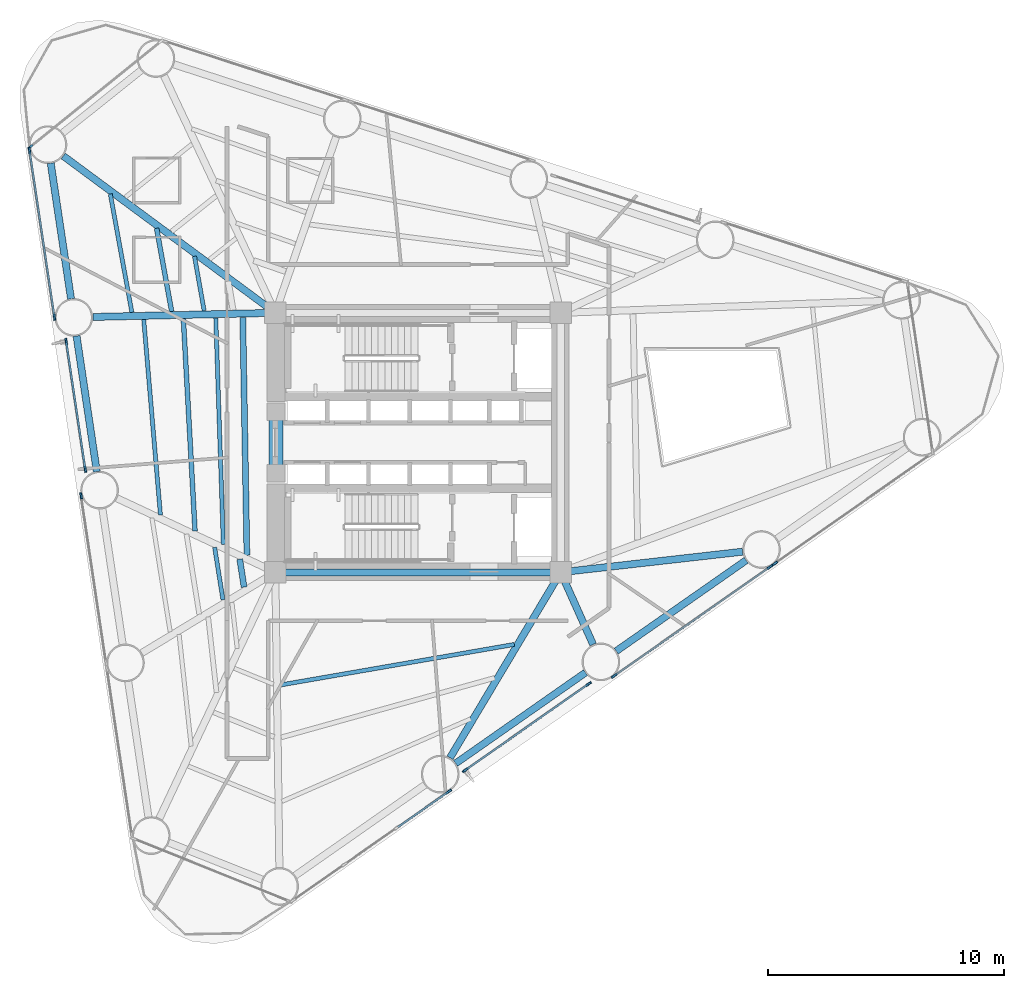
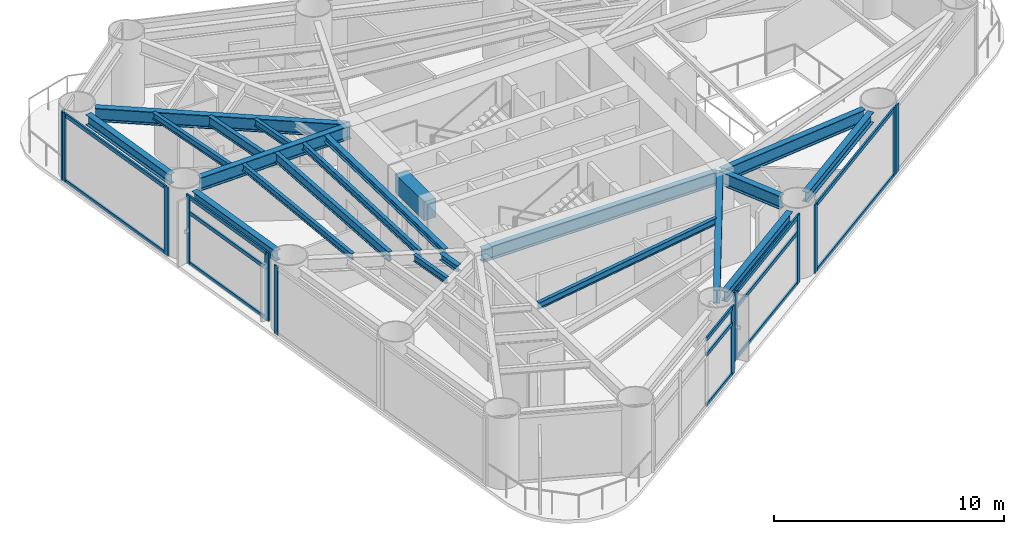
# One storey, part 2 of 9: 25 members, 21 beams, 8 elements without a shape of their own.
"""IFC4 building model written with IfcOpenShell, lengths in metres."""

from ifc_helpers import new_model, si_unit, direction, frame, origin, origin_2d, place, context, subcontext, project, spatial, rectangle, i_section, extrude, source, transform, mapped, material, layer, layer_set, material_profile, profile_set, type_object, element, aggregate, save


model = new_model("IFC4")

# Units and contexts
model_context = context("Model", 3, precision=1e-05, world=origin(), true_north=direction((0.0, 1.0)))
body_context = subcontext(model_context, "Body", "Model", "MODEL_VIEW")
ifc_project = project(units=[si_unit("LENGTHUNIT", "METRE"), si_unit("AREAUNIT", "SQUARE_METRE"), si_unit("VOLUMEUNIT", "CUBIC_METRE"), si_unit("PLANEANGLEUNIT", "RADIAN"), si_unit("MASSUNIT", "GRAM", prefix="KILO")], contexts=[model_context])

# Site, building, storey
site_placement = place(None, origin())
site = spatial("IfcSite", under=ifc_project, at=site_placement, CompositionType="ELEMENT")
building_placement = place(site_placement, origin())
building = spatial("IfcBuilding", under=site, at=building_placement, Name="Yunling Apex Tower", CompositionType="ELEMENT")
storey_placement = place(building_placement, frame((0.0, 0.0, 69.800048828125)))
storey = spatial("IfcBuildingStorey", under=building, at=storey_placement, Name="L18", CompositionType="ELEMENT", Elevation=69.800048828125)

# Beams
ifc_material_1 = material(Name="Concrete C60", Category="concrete")
ifc_material_profile_1 = material_profile(ifc_material_1, rectangle(XDim=0.60009765625, YDim=1.0, at=origin_2d()))
ifc_profile_set_1 = profile_set([ifc_material_profile_1], Name="Concrete C60")
beam_type_1 = type_object("IfcBeamType", Name="BC-CPL-1", PredefinedType="BEAM", material=ifc_profile_set_1)
shared_shape_1 = source(origin(), body_context, "Body", "SweptSolid", [
    extrude(rectangle(XDim=0.60009765625, YDim=1.0, at=origin_2d()), origin(), (0.0, 0.0, 1.0), 2.5),
])
beam_1_placement = place(storey_placement, frame((-6.02490234375, -1.25, 3.06494140625), z_axis=(0.0, 1.0, 0.0), x_axis=(-1.0, 0.0, 0.0)))
element("IfcBeam", 1, at=beam_1_placement, inside=storey, type_object=beam_type_1, Name="L18 Core West Portal Coupling Beam", PredefinedType="BEAM", context=body_context, shape_type="MappedRepresentation", body=[
    mapped(shared_shape_1, transform((0.0, 0.0, 0.0), scale=1.0)),
])
ifc_material_2 = material(Name="Steel Q355B", Category="steel")
ifc_material_profile_2 = material_profile(ifc_material_2, i_section(OverallWidth=0.300048828125, OverallDepth=0.699951171875, WebThickness=0.012939453125, FlangeThickness=0.02392578125, FilletRadius=0.02587890625, at=origin_2d()))
ifc_profile_set_2 = profile_set([ifc_material_profile_2], Name="Steel Q355B")
beam_type_2 = type_object("IfcBeamType", Name="BG-PRI-3", PredefinedType="USERDEFINED", material=ifc_profile_set_2)
shared_shape_2 = source(origin(), body_context, "Body", "SweptSolid", [
    extrude(i_section(OverallWidth=0.300048828125, OverallDepth=0.699951171875, WebThickness=0.012939453125, FlangeThickness=0.02392578125, FilletRadius=0.02587890625, at=origin_2d()), origin(), (0.0, 0.0, 1.0), 11.7998046875),
])
beam_2_placement = place(storey_placement, frame((-5.89990234375, -5.5, 3.21484375), z_axis=(1.0, 0.0, 0.0), x_axis=(0.0, 1.0, 0.0)))
element("IfcBeam", 2, at=beam_2_placement, inside=storey, type_object=beam_type_2, Name="L18 Core Ring Tie Beam 1", ObjectType="GIRDER", PredefinedType="USERDEFINED", context=body_context, shape_type="MappedRepresentation", body=[
    mapped(shared_shape_2, transform((0.0, 0.0, 0.0), scale=1.0)),
])
ifc_material_profile_3 = material_profile(ifc_material_2, i_section(OverallWidth=0.300048828125, OverallDepth=0.5400390625, WebThickness=0.011962890625, FlangeThickness=0.02001953125, FilletRadius=0.02392578125, at=origin_2d()))
ifc_profile_set_3 = profile_set([ifc_material_profile_3], Name="Steel Q355B")
beam_type_3 = type_object("IfcBeamType", Name="BP-SPN-1", PredefinedType="SPANDREL", material=ifc_profile_set_3)
shared_shape_3 = source(origin(), body_context, "Body", "SweptSolid", [
    extrude(i_section(OverallWidth=0.300048828125, OverallDepth=0.5400390625, WebThickness=0.011962890625, FlangeThickness=0.02001953125, FilletRadius=0.02392578125, at=origin_2d()), origin(), (0.0, 0.0, 1.0), 6.721435546875),
])
for number, where, z_axis, x_axis, name in (
    (3, (1.59228515625, -13.60302734375, 3.294921875), (0.81955772083, 0.572996633697, 0.0), (-0.572996633697, 0.81955772083, 0.0), "L18 Perimeter Spandrel Beam 2"),
    (4, (8.40234375, -8.841796875, 3.294921875), (0.81955772083, 0.572996633697, 0.0), (-0.572996633697, 0.81955772083, 0.0), "L18 Perimeter Spandrel Beam 3"),
):
    element("IfcBeam", number, at=place(storey_placement, frame(where, z_axis=z_axis, x_axis=x_axis)), inside=storey, type_object=beam_type_3, Name=name, PredefinedType="SPANDREL", context=body_context, shape_type="MappedRepresentation", body=[
        mapped(shared_shape_3, transform((0.0, 0.0, 0.0), scale=1.0)),
    ])
shared_shape_4 = source(origin(), body_context, "Body", "SweptSolid", [
    extrude(i_section(OverallWidth=0.300048828125, OverallDepth=0.5400390625, WebThickness=0.011962890625, FlangeThickness=0.02001953125, FilletRadius=0.02392578125, at=origin_2d()), origin(), (0.0, 0.0, 1.0), 5.81689453125),
])
for number, where, z_axis, x_axis, name in (
    (5, (-15.57177734375, 11.84423828125, 3.294921875), (0.147823230204, -0.989013797989, 0.0), (0.989013797989, 0.147823230204, 0.0), "L18 Perimeter Spandrel Beam 11"),
    (6, (-14.477294921875, 4.5205078125, 3.294921875), (0.147823230204, -0.989013797989, 0.0), (0.989013797989, 0.147823230204, 0.0), "L18 Perimeter Spandrel Beam 12"),
):
    element("IfcBeam", number, at=place(storey_placement, frame(where, z_axis=z_axis, x_axis=x_axis)), inside=storey, type_object=beam_type_3, Name=name, PredefinedType="SPANDREL", context=body_context, shape_type="MappedRepresentation", body=[
        mapped(shared_shape_4, transform((0.0, 0.0, 0.0), scale=1.0)),
    ])
shared_shape_5 = source(origin(), body_context, "Body", "SweptSolid", [
    extrude(i_section(OverallWidth=0.300048828125, OverallDepth=0.699951171875, WebThickness=0.012939453125, FlangeThickness=0.02392578125, FilletRadius=0.02587890625, at=origin_2d()), origin(), (0.0, 0.0, 1.0), 9.078857421875),
])
beam_3_placement = place(storey_placement, frame((1.355712890625, -13.3642578125, 3.21484375), z_axis=(0.512544819157, 0.858660473269, 0.0), x_axis=(-0.858660473269, 0.512544819157, 0.0)))
element("IfcBeam", 7, at=beam_3_placement, inside=storey, type_object=beam_type_2, Name="L18 Radial Primary Girder R02", ObjectType="GIRDER", PredefinedType="USERDEFINED", context=body_context, shape_type="MappedRepresentation", body=[
    mapped(shared_shape_5, transform((0.0, 0.0, 0.0), scale=1.0)),
])
shared_shape_6 = source(origin(), body_context, "Body", "SweptSolid", [
    extrude(i_section(OverallWidth=0.300048828125, OverallDepth=0.699951171875, WebThickness=0.012939453125, FlangeThickness=0.02392578125, FilletRadius=0.02587890625, at=origin_2d()), origin(), (0.0, 0.0, 1.0), 3.272705078125),
])
beam_4_placement = place(storey_placement, frame((7.421142578125, -8.5595703125, 3.21484375), z_axis=(-0.408946662986, 0.912558286814, 0.0), x_axis=(-0.912558286814, -0.408946662986, 0.0)))
element("IfcBeam", 8, at=beam_4_placement, inside=storey, type_object=beam_type_2, Name="L18 Radial Primary Girder R03", ObjectType="GIRDER", PredefinedType="USERDEFINED", context=body_context, shape_type="MappedRepresentation", body=[
    mapped(shared_shape_6, transform((0.0, 0.0, 0.0), scale=1.0)),
])
shared_shape_7 = source(origin(), body_context, "Body", "SweptSolid", [
    extrude(i_section(OverallWidth=0.300048828125, OverallDepth=0.699951171875, WebThickness=0.012939453125, FlangeThickness=0.02392578125, FilletRadius=0.02587890625, at=origin_2d()), origin(), (0.0, 0.0, 1.0), 7.677978515625),
])
beam_5_placement = place(storey_placement, frame((13.758544921875, -4.62646484375, 3.21484375), z_axis=(-0.993640958951, -0.112595047382, 0.0), x_axis=(0.112595047382, -0.993640958951, 0.0)))
element("IfcBeam", 9, at=beam_5_placement, inside=storey, type_object=beam_type_2, Name="L18 Radial Primary Girder R04", ObjectType="GIRDER", PredefinedType="USERDEFINED", context=body_context, shape_type="MappedRepresentation", body=[
    mapped(shared_shape_7, transform((0.0, 0.0, 0.0), scale=1.0)),
])
shared_shape_8 = source(origin(), body_context, "Body", "SweptSolid", [
    extrude(i_section(OverallWidth=0.300048828125, OverallDepth=0.699951171875, WebThickness=0.012939453125, FlangeThickness=0.02392578125, FilletRadius=0.02587890625, at=origin_2d()), origin(), (0.0, 0.0, 1.0), 11.101318359375),
])
beam_6_placement = place(storey_placement, frame((-15.03955078125, 12.14892578125, 3.21484375), z_axis=(0.803988254112, -0.594645177606, 0.0), x_axis=(0.594645177606, 0.803988254112, 0.0)))
element("IfcBeam", 10, at=beam_6_placement, inside=storey, type_object=beam_type_2, Name="L18 Radial Primary Girder R11", ObjectType="GIRDER", PredefinedType="USERDEFINED", context=body_context, shape_type="MappedRepresentation", body=[
    mapped(shared_shape_8, transform((0.0, 0.0, 0.0), scale=1.0)),
])
shared_shape_9 = source(origin(), body_context, "Body", "SweptSolid", [
    extrude(i_section(OverallWidth=0.300048828125, OverallDepth=0.699951171875, WebThickness=0.012939453125, FlangeThickness=0.02392578125, FilletRadius=0.02587890625, at=origin_2d()), origin(), (0.0, 0.0, 1.0), 7.658935546875),
])
beam_7_placement = place(storey_placement, frame((-13.786865234375, 5.32421875, 3.21484375), z_axis=(0.999741687414, 0.022727922173, 0.0), x_axis=(-0.022727922173, 0.999741687414, 0.0)))
element("IfcBeam", 11, at=beam_7_placement, inside=storey, type_object=beam_type_2, Name="L18 Radial Primary Girder R12", ObjectType="GIRDER", PredefinedType="USERDEFINED", context=body_context, shape_type="MappedRepresentation", body=[
    mapped(shared_shape_9, transform((0.0, 0.0, 0.0), scale=1.0)),
])
ifc_material_profile_4 = material_profile(ifc_material_2, i_section(OverallWidth=0.175048828125, OverallDepth=0.35009765625, WebThickness=0.007080078125, FlangeThickness=0.010986328125, FilletRadius=0.013916015625, at=origin_2d()))
ifc_profile_set_4 = profile_set([ifc_material_profile_4], Name="Steel Q355B")
beam_type_4 = type_object("IfcBeamType", Name="BJ-JST-1", PredefinedType="JOIST", material=ifc_profile_set_4)
shared_shape_10 = source(origin(), body_context, "Body", "SweptSolid", [
    extrude(i_section(OverallWidth=0.175048828125, OverallDepth=0.35009765625, WebThickness=0.007080078125, FlangeThickness=0.010986328125, FilletRadius=0.013916015625, at=origin_2d()), origin(), (0.0, 0.0, 1.0), 10.057861328125),
])
beam_8_placement = place(storey_placement, frame((-5.826904296875, -10.276611328125, 3.389892578125), z_axis=(0.985298923649, 0.170839196488, 0.0), x_axis=(-0.170839196488, 0.985298923649, 0.0)))
element("IfcBeam", 12, at=beam_8_placement, inside=storey, type_object=beam_type_4, Name="L18 Composite Floor Joist BJ3-1", PredefinedType="JOIST", context=body_context, shape_type="MappedRepresentation", body=[
    mapped(shared_shape_10, transform((0.0, 0.0, 0.0), scale=1.0)),
])
ifc_material_profile_5 = material_profile(ifc_material_2, i_section(OverallWidth=0.199951171875, OverallDepth=0.5, WebThickness=0.010009765625, FlangeThickness=0.01611328125, FilletRadius=0.02001953125, at=origin_2d()))
ifc_profile_set_5 = profile_set([ifc_material_profile_5], Name="Steel Q355B")
beam_type_5 = type_object("IfcBeamType", Name="BS-SEC-2", PredefinedType="BEAM", material=ifc_profile_set_5)
shared_shape_11 = source(origin(), body_context, "Body", "SweptSolid", [
    extrude(i_section(OverallWidth=0.199951171875, OverallDepth=0.5, WebThickness=0.010009765625, FlangeThickness=0.01611328125, FilletRadius=0.02001953125, at=origin_2d()), origin(), (0.0, 0.0, 1.0), 3.5859375),
])
beam_9_placement = place(storey_placement, frame((-11.083984375, 9.0869140625, 3.31494140625), z_axis=(0.177830877335, -0.984061064704, 0.0), x_axis=(0.984061064704, 0.177830877335, 0.0)))
element("IfcBeam", 13, at=beam_9_placement, inside=storey, type_object=beam_type_5, Name="L18 Composite Floor Beam BS-11", PredefinedType="BEAM", context=body_context, shape_type="MappedRepresentation", body=[
    mapped(shared_shape_11, transform((0.0, 0.0, 0.0), scale=1.0)),
])
shared_shape_12 = source(origin(), body_context, "Body", "SweptSolid", [
    extrude(i_section(OverallWidth=0.175048828125, OverallDepth=0.35009765625, WebThickness=0.007080078125, FlangeThickness=0.010986328125, FilletRadius=0.013916015625, at=origin_2d()), origin(), (0.0, 0.0, 1.0), 5.102294921875),
])
beam_10_placement = place(storey_placement, frame((-13.047119140625, 10.539306640625, 3.389892578125), z_axis=(0.179533864947, -0.983751793562, 0.0), x_axis=(0.983751793562, 0.179533864947, 0.0)))
element("IfcBeam", 14, at=beam_10_placement, inside=storey, type_object=beam_type_4, Name="L18 Composite Floor Joist BJ1-11", PredefinedType="JOIST", context=body_context, shape_type="MappedRepresentation", body=[
    mapped(shared_shape_12, transform((0.0, 0.0, 0.0), scale=1.0)),
])
shared_shape_13 = source(origin(), body_context, "Body", "SweptSolid", [
    extrude(i_section(OverallWidth=0.175048828125, OverallDepth=0.35009765625, WebThickness=0.007080078125, FlangeThickness=0.010986328125, FilletRadius=0.013916015625, at=origin_2d()), origin(), (0.0, 0.0, 1.0), 2.34521484375),
])
beam_11_placement = place(storey_placement, frame((-9.477783203125, 7.898681640625, 3.389892578125), z_axis=(0.174889813897, -0.984588011808, 0.0), x_axis=(0.984588011808, 0.174889813897, 0.0)))
element("IfcBeam", 15, at=beam_11_placement, inside=storey, type_object=beam_type_4, Name="L18 Composite Floor Joist BJ3-11", PredefinedType="JOIST", context=body_context, shape_type="MappedRepresentation", body=[
    mapped(shared_shape_13, transform((0.0, 0.0, 0.0), scale=1.0)),
])
shared_shape_14 = source(origin(), body_context, "Body", "SweptSolid", [
    extrude(i_section(OverallWidth=0.199951171875, OverallDepth=0.5, WebThickness=0.010009765625, FlangeThickness=0.01611328125, FilletRadius=0.02001953125, at=origin_2d()), origin(), (0.0, 0.0, 1.0), 9.018310546875),
])
beam_12_placement = place(storey_placement, frame((-9.94970703125, 5.25146484375, 3.31494140625), z_axis=(0.054955731572, -0.998488791909, 0.0), x_axis=(0.998488791909, 0.054955731572, 0.0)))
element("IfcBeam", 16, at=beam_12_placement, inside=storey, type_object=beam_type_5, Name="L18 Composite Floor Beam BS-12", PredefinedType="BEAM", context=body_context, shape_type="MappedRepresentation", body=[
    mapped(shared_shape_14, transform((0.0, 0.0, 0.0), scale=1.0)),
])
shared_shape_15 = source(origin(), body_context, "Body", "SweptSolid", [
    extrude(i_section(OverallWidth=0.175048828125, OverallDepth=0.35009765625, WebThickness=0.007080078125, FlangeThickness=0.010986328125, FilletRadius=0.013916015625, at=origin_2d()), origin(), (0.0, 0.0, 1.0), 8.313720703125),
])
beam_13_placement = place(storey_placement, frame((-11.62939453125, 5.21337890625, 3.389892578125), z_axis=(0.085220398072, -0.996362124808, 0.0), x_axis=(0.996362124808, 0.085220398072, 0.0)))
element("IfcBeam", 17, at=beam_13_placement, inside=storey, type_object=beam_type_4, Name="L18 Composite Floor Joist BJ1-12", PredefinedType="JOIST", context=body_context, shape_type="MappedRepresentation", body=[
    mapped(shared_shape_15, transform((0.0, 0.0, 0.0), scale=1.0)),
])
shared_shape_16 = source(origin(), body_context, "Body", "SweptSolid", [
    extrude(i_section(OverallWidth=0.175048828125, OverallDepth=0.35009765625, WebThickness=0.007080078125, FlangeThickness=0.010986328125, FilletRadius=0.013916015625, at=origin_2d()), origin(), (0.0, 0.0, 1.0), 9.600341796875),
])
beam_14_placement = place(storey_placement, frame((-8.57470703125, 5.28271484375, 3.389892578125), z_axis=(0.033364787957, -0.999443240472, 0.0), x_axis=(0.999443240472, 0.033364787957, 0.0)))
element("IfcBeam", 18, at=beam_14_placement, inside=storey, type_object=beam_type_4, Name="L18 Composite Floor Joist BJ3-12", PredefinedType="JOIST", context=body_context, shape_type="MappedRepresentation", body=[
    mapped(shared_shape_16, transform((0.0, 0.0, 0.0), scale=1.0)),
])
ifc_material_profile_6 = material_profile(ifc_material_2, i_section(OverallWidth=0.25, OverallDepth=0.340087890625, WebThickness=0.009033203125, FlangeThickness=0.013916015625, FilletRadius=0.01806640625, at=origin_2d()))
ifc_profile_set_6 = profile_set([ifc_material_profile_6], Name="Steel Q355B")
beam_type_6 = type_object("IfcBeamType", Name="BJ-JST-2", PredefinedType="JOIST", material=ifc_profile_set_6)
shared_shape_17 = source(origin(), body_context, "Body", "SweptSolid", [
    extrude(i_section(OverallWidth=0.25, OverallDepth=0.340087890625, WebThickness=0.009033203125, FlangeThickness=0.013916015625, FilletRadius=0.01806640625, at=origin_2d()), origin(), (0.0, 0.0, 1.0), 10.088134765625),
])
beam_15_placement = place(storey_placement, frame((-7.428955078125, 5.30859375, 3.39501953125), z_axis=(0.017255085284, -0.999851119933, 0.0), x_axis=(0.999851119933, 0.017255085284, 0.0)))
element("IfcBeam", 19, at=beam_15_placement, inside=storey, type_object=beam_type_6, Name="L18 Composite Floor Joist BJ2-12", PredefinedType="JOIST", context=body_context, shape_type="MappedRepresentation", body=[
    mapped(shared_shape_17, transform((0.0, 0.0, 0.0), scale=1.0)),
])
shared_shape_18 = source(origin(), body_context, "Body", "SweptSolid", [
    extrude(i_section(OverallWidth=0.175048828125, OverallDepth=0.35009765625, WebThickness=0.007080078125, FlangeThickness=0.010986328125, FilletRadius=0.013916015625, at=origin_2d()), origin(), (0.0, 0.0, 1.0), 2.252685546875),
])
beam_16_placement = place(storey_placement, frame((-8.622802734375, -4.443603515625, 3.389892578125), z_axis=(0.156608129458, -0.987660819203, 0.0), x_axis=(0.987660819203, 0.156608129458, 0.0)))
element("IfcBeam", 20, at=beam_16_placement, inside=storey, type_object=beam_type_4, Name="L18 Composite Floor Joist BJ3-13", PredefinedType="JOIST", context=body_context, shape_type="MappedRepresentation", body=[
    mapped(shared_shape_18, transform((0.0, 0.0, 0.0), scale=1.0)),
])
shared_shape_19 = source(origin(), body_context, "Body", "SweptSolid", [
    extrude(i_section(OverallWidth=0.25, OverallDepth=0.340087890625, WebThickness=0.009033203125, FlangeThickness=0.013916015625, FilletRadius=0.01806640625, at=origin_2d()), origin(), (0.0, 0.0, 1.0), 1.20068359375),
])
beam_17_placement = place(storey_placement, frame((-7.559814453125, -4.94091796875, 3.39501953125), z_axis=(0.154531945298, -0.987987792375, 0.0), x_axis=(0.987987792375, 0.154531945298, 0.0)))
element("IfcBeam", 21, at=beam_17_placement, inside=storey, type_object=beam_type_6, Name="L18 Composite Floor Joist BJ2-13", PredefinedType="JOIST", context=body_context, shape_type="MappedRepresentation", body=[
    mapped(shared_shape_19, transform((0.0, 0.0, 0.0), scale=1.0)),
])

# Curtain wall, member
ifc_material_3 = material(Name="Bronze anodised aluminium", Category="aluminium")
ifc_layer = layer(ifc_material_3, 0.260009765625)
ifc_layer_set = layer_set([ifc_layer], Name="Bronze anodised aluminium")
curtain_wall_type = type_object("IfcCurtainWallType", Name="CW-SYS-2", PredefinedType="NOTDEFINED", material=ifc_layer_set)
curtain_wall_1_placement = place(storey_placement, origin())
curtain_wall_1 = element("IfcCurtainWall", 22, at=curtain_wall_1_placement, inside=storey, type_object=curtain_wall_type, Name="CW-L18-F1-B1", PredefinedType="NOTDEFINED")
ifc_material_profile_7 = material_profile(ifc_material_3, rectangle(XDim=0.0849609375, YDim=0.260009765625, at=origin_2d()))
ifc_profile_set_7 = profile_set([ifc_material_profile_7], Name="Bronze anodised aluminium")
member_type_1 = type_object("IfcMemberType", Name="CW-MUL-2", PredefinedType="MULLION", material=ifc_profile_set_7)
shared_shape_20 = source(origin(), body_context, "Body", "SweptSolid", [
    extrude(rectangle(XDim=0.0849609375, YDim=0.260009765625, at=origin_2d()), origin(), (0.0, 0.0, 1.0), 3.6650390625),
])
member_1_placement = place(storey_placement, frame((1.305419921875, -14.7919921875, -0.050048828125), z_axis=(0.0, 0.0, 1.0), x_axis=(-0.573004358875, 0.819552319691, 0.0)))
member_1 = element("IfcMember", 23, at=member_1_placement, type_object=member_type_1, Name="CW-SYS-2 mullion 4", PredefinedType="MULLION", context=body_context, shape_type="MappedRepresentation", body=[
    mapped(shared_shape_20, transform((0.0, 0.0, 0.0), scale=1.0)),
])

# Curtain wall, members
curtain_wall_2_placement = place(storey_placement, origin())
curtain_wall_2 = element("IfcCurtainWall", 24, at=curtain_wall_2_placement, inside=storey, type_object=curtain_wall_type, Name="CW-L18-F1-B2", PredefinedType="NOTDEFINED")
member_2_placement = place(storey_placement, frame((1.999755859375, -13.8916015625, -0.050048828125), z_axis=(0.0, 0.0, 1.0), x_axis=(-0.573002671888, 0.819553499175, 0.0)))
member_2 = element("IfcMember", 25, at=member_2_placement, type_object=member_type_1, Name="CW-SYS-2 mullion 1", PredefinedType="MULLION", context=body_context, shape_type="MappedRepresentation", body=[
    mapped(shared_shape_20, transform((0.0, 0.0, 0.0), scale=1.0)),
])
member_3_placement = place(storey_placement, frame((7.232177734375, -10.2333984375, -0.050048828125), z_axis=(0.0, 0.0, 1.0), x_axis=(-0.573002671888, 0.819553499175, 0.0)))
member_3 = element("IfcMember", 26, at=member_3_placement, type_object=member_type_1, Name="CW-SYS-2 mullion 2", PredefinedType="MULLION", context=body_context, shape_type="MappedRepresentation", body=[
    mapped(shared_shape_20, transform((0.0, 0.0, 0.0), scale=1.0)),
])

curtain_wall_3_placement = place(storey_placement, origin())
curtain_wall_3 = element("IfcCurtainWall", 27, at=curtain_wall_3_placement, inside=storey, type_object=curtain_wall_type, Name="CW-L18-F1-B3", PredefinedType="NOTDEFINED")
member_4_placement = place(storey_placement, frame((8.31591796875, -9.890380859375, -0.050048828125), z_axis=(0.0, 0.0, 1.0), x_axis=(-0.572996116804, 0.819558082217, 0.0)))
member_4 = element("IfcMember", 28, at=member_4_placement, type_object=member_type_1, Name="CW-SYS-2 mullion 1", PredefinedType="MULLION", context=body_context, shape_type="MappedRepresentation", body=[
    mapped(shared_shape_20, transform((0.0, 0.0, 0.0), scale=1.0)),
])
member_5_placement = place(storey_placement, frame((14.925048828125, -5.26953125, -0.050048828125), z_axis=(0.0, 0.0, 1.0), x_axis=(-0.572996116804, 0.819558082217, 0.0)))
member_5 = element("IfcMember", 29, at=member_5_placement, type_object=member_type_1, Name="CW-SYS-2 mullion 2", PredefinedType="MULLION", context=body_context, shape_type="MappedRepresentation", body=[
    mapped(shared_shape_20, transform((0.0, 0.0, 0.0), scale=1.0)),
])

# Curtain wall, member
curtain_wall_4_placement = place(storey_placement, origin())
curtain_wall_4 = element("IfcCurtainWall", 30, at=curtain_wall_4_placement, inside=storey, type_object=curtain_wall_type, Name="CW-L18-F1-B4", PredefinedType="NOTDEFINED")
member_6_placement = place(storey_placement, frame((15.1259765625, -5.129150390625, -0.050048828125), z_axis=(0.0, 0.0, 1.0), x_axis=(-0.573004358875, 0.819552319691, 0.0)))
member_6 = element("IfcMember", 31, at=member_6_placement, type_object=member_type_1, Name="CW-SYS-2 mullion 1", PredefinedType="MULLION", context=body_context, shape_type="MappedRepresentation", body=[
    mapped(shared_shape_20, transform((0.0, 0.0, 0.0), scale=1.0)),
])
aggregate(curtain_wall_4, [member_6])

curtain_wall_5_placement = place(storey_placement, origin())
curtain_wall_5 = element("IfcCurtainWall", 32, at=curtain_wall_5_placement, inside=storey, type_object=curtain_wall_type, Name="CW-L18-CRN2", PredefinedType="NOTDEFINED")
member_7_placement = place(storey_placement, frame((-16.4375, 12.539306640625, -0.050048828125), z_axis=(0.0, 0.0, 1.0), x_axis=(0.628079941911, -0.778148820322, 0.0)))
member_7 = element("IfcMember", 33, at=member_7_placement, type_object=member_type_1, Name="CW-SYS-2 mullion 2", PredefinedType="MULLION", context=body_context, shape_type="MappedRepresentation", body=[
    mapped(shared_shape_20, transform((0.0, 0.0, 0.0), scale=1.0)),
])
aggregate(curtain_wall_5, [member_7])

# Curtain wall, members
curtain_wall_6_placement = place(storey_placement, origin())
curtain_wall_6 = element("IfcCurtainWall", 34, at=curtain_wall_6_placement, inside=storey, type_object=curtain_wall_type, Name="CW-L18-F3-B1", PredefinedType="NOTDEFINED")
member_8_placement = place(storey_placement, frame((-16.47216796875, 12.388671875, -0.050048828125), z_axis=(0.0, 0.0, 1.0), x_axis=(0.989017400941, 0.147799122579, 0.0)))
member_8 = element("IfcMember", 35, at=member_8_placement, type_object=member_type_1, Name="CW-SYS-2 mullion 1", PredefinedType="MULLION", context=body_context, shape_type="MappedRepresentation", body=[
    mapped(shared_shape_20, transform((0.0, 0.0, 0.0), scale=1.0)),
])
member_9_placement = place(storey_placement, frame((-15.413818359375, 5.307373046875, -0.050048828125), z_axis=(0.0, 0.0, 1.0), x_axis=(0.989017400941, 0.147799122579, 0.0)))
member_9 = element("IfcMember", 36, at=member_9_placement, type_object=member_type_1, Name="CW-SYS-2 mullion 2", PredefinedType="MULLION", context=body_context, shape_type="MappedRepresentation", body=[
    mapped(shared_shape_20, transform((0.0, 0.0, 0.0), scale=1.0)),
])

curtain_wall_7_placement = place(storey_placement, origin())
curtain_wall_7 = element("IfcCurtainWall", 37, at=curtain_wall_7_placement, inside=storey, type_object=curtain_wall_type, Name="CW-L18-F3-B2", PredefinedType="NOTDEFINED")
member_10_placement = place(storey_placement, frame((-14.917236328125, 4.28466796875, -0.050048828125), z_axis=(0.0, 0.0, 1.0), x_axis=(0.98901713531, 0.147800900076, 0.0)))
member_10 = element("IfcMember", 38, at=member_10_placement, type_object=member_type_1, Name="CW-SYS-2 mullion 1", PredefinedType="MULLION", context=body_context, shape_type="MappedRepresentation", body=[
    mapped(shared_shape_20, transform((0.0, 0.0, 0.0), scale=1.0)),
])
member_11_placement = place(storey_placement, frame((-14.107177734375, -1.13525390625, -0.050048828125), z_axis=(0.0, 0.0, 1.0), x_axis=(0.98901713531, 0.147800900076, 0.0)))
member_11 = element("IfcMember", 39, at=member_11_placement, type_object=member_type_1, Name="CW-SYS-2 mullion 2", PredefinedType="MULLION", context=body_context, shape_type="MappedRepresentation", body=[
    mapped(shared_shape_20, transform((0.0, 0.0, 0.0), scale=1.0)),
])

# Curtain wall, member
curtain_wall_8_placement = place(storey_placement, origin())
curtain_wall_8 = element("IfcCurtainWall", 40, at=curtain_wall_8_placement, inside=storey, type_object=curtain_wall_type, Name="CW-L18-F3-B3", PredefinedType="NOTDEFINED")
member_12_placement = place(storey_placement, frame((-14.283203125, -2.258544921875, -0.050048828125), z_axis=(0.0, 0.0, 1.0), x_axis=(0.98901508166, 0.147814641525, 0.0)))
member_12 = element("IfcMember", 41, at=member_12_placement, type_object=member_type_1, Name="CW-SYS-2 mullion 1", PredefinedType="MULLION", context=body_context, shape_type="MappedRepresentation", body=[
    mapped(shared_shape_20, transform((0.0, 0.0, 0.0), scale=1.0)),
])
aggregate(curtain_wall_8, [member_12])

# Member
ifc_material_profile_8 = material_profile(ifc_material_3, rectangle(XDim=0.0849609375, YDim=0.199951171875, at=origin_2d()))
ifc_profile_set_8 = profile_set([ifc_material_profile_8], Name="Bronze anodised aluminium")
member_type_2 = type_object("IfcMemberType", Name="CW-TRN-2", PredefinedType="USERDEFINED", material=ifc_profile_set_8)
shared_shape_21 = source(origin(), body_context, "Body", "SweptSolid", [
    extrude(rectangle(XDim=0.0849609375, YDim=0.199951171875, at=origin_2d()), origin(), (0.0, 0.0, 1.0), 2.59765625),
])
member_13_placement = place(storey_placement, frame((-0.854736328125, -16.30224609375, 0.04248046875), z_axis=(0.819585012743, 0.572957596064, 0.0), x_axis=(-0.572957596064, 0.819585012743, 0.0)))
member_13 = element("IfcMember", 42, at=member_13_placement, type_object=member_type_2, Name="CW-SYS-2 transom 3.1", ObjectType="TRANSOM", PredefinedType="USERDEFINED", context=body_context, shape_type="MappedRepresentation", body=[
    mapped(shared_shape_21, transform((0.0, 0.0, 0.0), scale=1.0)),
])

member_14_placement = place(storey_placement, frame((-0.854736328125, -16.30224609375, 2.71484375), z_axis=(0.819585012743, 0.572957596064, 0.0), x_axis=(-0.572957596064, 0.819585012743, 0.0)))
member_14 = element("IfcMember", 43, at=member_14_placement, type_object=member_type_2, Name="CW-SYS-2 transom 3.2", ObjectType="TRANSOM", PredefinedType="USERDEFINED", context=body_context, shape_type="MappedRepresentation", body=[
    mapped(shared_shape_21, transform((0.0, 0.0, 0.0), scale=1.0)),
])

member_15_placement = place(storey_placement, frame((-0.854736328125, -16.30224609375, 3.5224609375), z_axis=(0.819585012743, 0.572957596064, 0.0), x_axis=(-0.572957596064, 0.819585012743, 0.0)))
member_15 = element("IfcMember", 44, at=member_15_placement, type_object=member_type_2, Name="CW-SYS-2 transom 3.3", ObjectType="TRANSOM", PredefinedType="USERDEFINED", context=body_context, shape_type="MappedRepresentation", body=[
    mapped(shared_shape_21, transform((0.0, 0.0, 0.0), scale=1.0)),
])

aggregate(curtain_wall_1, [member_1, member_13, member_14, member_15])

shared_shape_22 = source(origin(), body_context, "Body", "SweptSolid", [
    extrude(rectangle(XDim=0.0849609375, YDim=0.199951171875, at=origin_2d()), origin(), (0.0, 0.0, 1.0), 6.3076171875),
])
member_16_placement = place(storey_placement, frame((2.03125, -13.86962890625, 0.04248046875), z_axis=(0.819555463581, 0.57299986223, 0.0), x_axis=(-0.57299986223, 0.819555463581, 0.0)))
member_16 = element("IfcMember", 45, at=member_16_placement, type_object=member_type_2, Name="CW-SYS-2 transom 1.1", ObjectType="TRANSOM", PredefinedType="USERDEFINED", context=body_context, shape_type="MappedRepresentation", body=[
    mapped(shared_shape_22, transform((0.0, 0.0, 0.0), scale=1.0)),
])

member_17_placement = place(storey_placement, frame((2.03125, -13.86962890625, 2.71484375), z_axis=(0.819555463581, 0.57299986223, 0.0), x_axis=(-0.57299986223, 0.819555463581, 0.0)))
member_17 = element("IfcMember", 46, at=member_17_placement, type_object=member_type_2, Name="CW-SYS-2 transom 1.2", ObjectType="TRANSOM", PredefinedType="USERDEFINED", context=body_context, shape_type="MappedRepresentation", body=[
    mapped(shared_shape_22, transform((0.0, 0.0, 0.0), scale=1.0)),
])

member_18_placement = place(storey_placement, frame((2.03125, -13.86962890625, 3.5224609375), z_axis=(0.819555463581, 0.57299986223, 0.0), x_axis=(-0.57299986223, 0.819555463581, 0.0)))
member_18 = element("IfcMember", 47, at=member_18_placement, type_object=member_type_2, Name="CW-SYS-2 transom 1.3", ObjectType="TRANSOM", PredefinedType="USERDEFINED", context=body_context, shape_type="MappedRepresentation", body=[
    mapped(shared_shape_22, transform((0.0, 0.0, 0.0), scale=1.0)),
])

aggregate(curtain_wall_2, [member_2, member_3, member_16, member_17, member_18])

shared_shape_23 = source(origin(), body_context, "Body", "SweptSolid", [
    extrude(rectangle(XDim=0.0849609375, YDim=0.199951171875, at=origin_2d()), origin(), (0.0, 0.0, 1.0), 7.98779296875),
])
member_19_placement = place(storey_placement, frame((8.347412109375, -9.868408203125, 0.04248046875), z_axis=(0.819559176955, 0.572994550995, 0.0), x_axis=(-0.572994550995, 0.819559176955, 0.0)))
member_19 = element("IfcMember", 48, at=member_19_placement, type_object=member_type_2, Name="CW-SYS-2 transom 1.1", ObjectType="TRANSOM", PredefinedType="USERDEFINED", context=body_context, shape_type="MappedRepresentation", body=[
    mapped(shared_shape_23, transform((0.0, 0.0, 0.0), scale=1.0)),
])

member_20_placement = place(storey_placement, frame((8.347412109375, -9.868408203125, 3.5224609375), z_axis=(0.819559176955, 0.572994550995, 0.0), x_axis=(-0.572994550995, 0.819559176955, 0.0)))
member_20 = element("IfcMember", 49, at=member_20_placement, type_object=member_type_2, Name="CW-SYS-2 transom 1.2", ObjectType="TRANSOM", PredefinedType="USERDEFINED", context=body_context, shape_type="MappedRepresentation", body=[
    mapped(shared_shape_23, transform((0.0, 0.0, 0.0), scale=1.0)),
])

aggregate(curtain_wall_3, [member_4, member_5, member_19, member_20])

shared_shape_24 = source(origin(), body_context, "Body", "SweptSolid", [
    extrude(rectangle(XDim=0.0849609375, YDim=0.199951171875, at=origin_2d()), origin(), (0.0, 0.0, 1.0), 7.08349609375),
])
member_21_placement = place(storey_placement, frame((-16.466552734375, 12.350830078125, 0.04248046875), z_axis=(0.147826386349, -0.989013326249, 0.0), x_axis=(0.989013326249, 0.147826386349, 0.0)))
member_21 = element("IfcMember", 50, at=member_21_placement, type_object=member_type_2, Name="CW-SYS-2 transom 1.1", ObjectType="TRANSOM", PredefinedType="USERDEFINED", context=body_context, shape_type="MappedRepresentation", body=[
    mapped(shared_shape_24, transform((0.0, 0.0, 0.0), scale=1.0)),
])

member_22_placement = place(storey_placement, frame((-16.466552734375, 12.350830078125, 3.5224609375), z_axis=(0.147826386349, -0.989013326249, 0.0), x_axis=(0.989013326249, 0.147826386349, 0.0)))
member_22 = element("IfcMember", 51, at=member_22_placement, type_object=member_type_2, Name="CW-SYS-2 transom 1.2", ObjectType="TRANSOM", PredefinedType="USERDEFINED", context=body_context, shape_type="MappedRepresentation", body=[
    mapped(shared_shape_24, transform((0.0, 0.0, 0.0), scale=1.0)),
])

aggregate(curtain_wall_6, [member_8, member_9, member_21, member_22])

shared_shape_25 = source(origin(), body_context, "Body", "SweptSolid", [
    extrude(rectangle(XDim=0.0849609375, YDim=0.199951171875, at=origin_2d()), origin(), (0.0, 0.0, 1.0), 5.403564453125),
])
member_23_placement = place(storey_placement, frame((-14.91162109375, 4.246826171875, 0.04248046875), z_axis=(0.147788090943, -0.98901904945, 0.0), x_axis=(0.98901904945, 0.147788090943, 0.0)))
member_23 = element("IfcMember", 52, at=member_23_placement, type_object=member_type_2, Name="CW-SYS-2 transom 1.1", ObjectType="TRANSOM", PredefinedType="USERDEFINED", context=body_context, shape_type="MappedRepresentation", body=[
    mapped(shared_shape_25, transform((0.0, 0.0, 0.0), scale=1.0)),
])

member_24_placement = place(storey_placement, frame((-14.91162109375, 4.246826171875, 2.71484375), z_axis=(0.147788090943, -0.98901904945, 0.0), x_axis=(0.98901904945, 0.147788090943, 0.0)))
member_24 = element("IfcMember", 53, at=member_24_placement, type_object=member_type_2, Name="CW-SYS-2 transom 1.2", ObjectType="TRANSOM", PredefinedType="USERDEFINED", context=body_context, shape_type="MappedRepresentation", body=[
    mapped(shared_shape_25, transform((0.0, 0.0, 0.0), scale=1.0)),
])

member_25_placement = place(storey_placement, frame((-14.91162109375, 4.246826171875, 3.5224609375), z_axis=(0.147788090943, -0.98901904945, 0.0), x_axis=(0.98901904945, 0.147788090943, 0.0)))
member_25 = element("IfcMember", 54, at=member_25_placement, type_object=member_type_2, Name="CW-SYS-2 transom 1.3", ObjectType="TRANSOM", PredefinedType="USERDEFINED", context=body_context, shape_type="MappedRepresentation", body=[
    mapped(shared_shape_25, transform((0.0, 0.0, 0.0), scale=1.0)),
])

aggregate(curtain_wall_7, [member_10, member_11, member_23, member_24, member_25])

save(model, "model.ifc")
